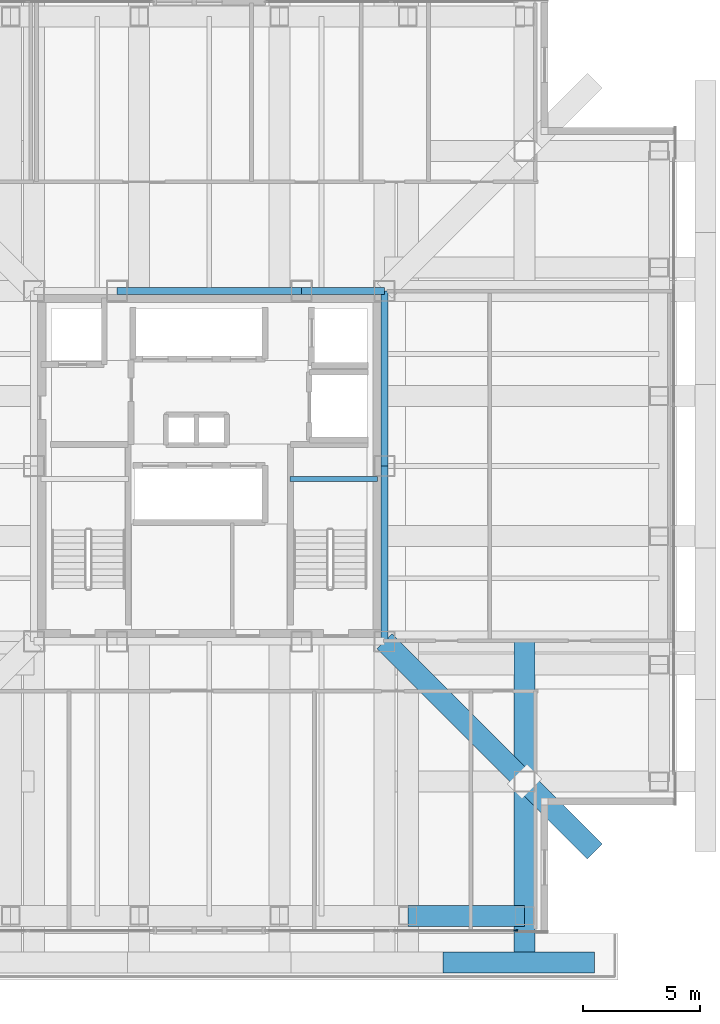
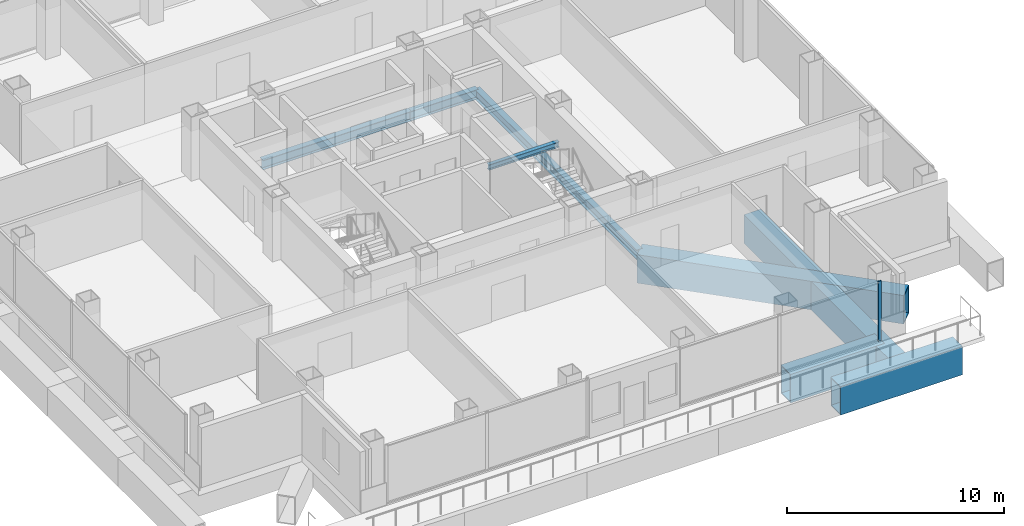
# One storey, part 5 of 14: 9 beams, 1 member, 1 element without a shape of its own.
"""IFC4 building model written with IfcOpenShell, lengths in metres."""

from ifc_helpers import new_model, si_unit, direction, frame, origin, origin_2d, place, context, subcontext, project, spatial, rectangle, hollow_rectangle, i_section, extrude, material, layer, layer_set, material_profile, profile_set, type_object, element, aggregate, save


model = new_model("IFC4")

# Units and contexts
model_context = context("Model", 3, precision=1e-05, world=origin(), true_north=direction((0.0, 1.0)))
body_context = subcontext(model_context, "Body", "Model", "MODEL_VIEW")
ifc_project = project(units=[si_unit("LENGTHUNIT", "METRE"), si_unit("AREAUNIT", "SQUARE_METRE"), si_unit("VOLUMEUNIT", "CUBIC_METRE"), si_unit("PLANEANGLEUNIT", "RADIAN"), si_unit("MASSUNIT", "GRAM", prefix="KILO")], contexts=[model_context])

# Site, building, storey
site_placement = place(None, origin())
site = spatial("IfcSite", under=ifc_project, at=site_placement, CompositionType="ELEMENT")
building_placement = place(site_placement, origin())
building = spatial("IfcBuilding", under=site, at=building_placement, Name="Trevonay Congress Spire", CompositionType="ELEMENT")
storey_placement = place(building_placement, frame((0.0, 0.0, 166.199951171875)))
storey = spatial("IfcBuildingStorey", under=building, at=storey_placement, Name="L42", CompositionType="ELEMENT", Elevation=166.199951171875)

# Beams
ifc_material_1 = material(Name="Steel ASTM A572 Grade 50", Category="steel")
ifc_material_profile_1 = material_profile(ifc_material_1, i_section(OverallWidth=0.31201171875, OverallDepth=0.54296875, WebThickness=0.0126953125, FlangeThickness=0.020263671875, FilletRadius=0.014892578125, at=origin_2d()), Name="W530x150")
ifc_profile_set_1 = profile_set([ifc_material_profile_1], Name="Steel ASTM A572 Grade 50")
beam_type_1 = type_object("IfcBeamType", Name="BM-GIRD-W530X150", PredefinedType="BEAM", material=ifc_profile_set_1)
beam_1_placement = place(storey_placement, frame((-3.949951171875, 7.5, -0.67138671875), z_axis=(1.0, 0.0, 0.0), x_axis=(0.0, 1.0, 0.0)))
element("IfcBeam", 1, at=beam_1_placement, inside=storey, type_object=beam_type_1, Name="L42 structural beam BM-L42-CR-N2", PredefinedType="BEAM", context=body_context, shape_type="SweptSolid", body=[
    extrude(i_section(OverallWidth=0.31201171875, OverallDepth=0.54296875, WebThickness=0.0126953125, FlangeThickness=0.020263671875, FilletRadius=0.014892578125, at=origin_2d()), origin(), (0.0, 0.0, 1.0), 7.89990234375),
])
beam_2_placement = place(storey_placement, frame((3.949951171875, 7.5, -0.67138671875), z_axis=(1.0, 0.0, 0.0), x_axis=(0.0, 1.0, 0.0)))
element("IfcBeam", 2, at=beam_2_placement, inside=storey, type_object=beam_type_1, Name="L42 structural beam BM-L42-CR-N3", PredefinedType="BEAM", context=body_context, shape_type="SweptSolid", body=[
    extrude(i_section(OverallWidth=0.31201171875, OverallDepth=0.54296875, WebThickness=0.0126953125, FlangeThickness=0.020263671875, FilletRadius=0.014892578125, at=origin_2d()), origin(), (0.0, 0.0, 1.0), 3.550048828125),
])
for number, where, z_axis, x_axis, name in (
    (3, (7.5, -7.5, -0.67138671875), (0.0, 1.0, 0.0), (-1.0, 0.0, 0.0), "L42 structural beam BM-L42-CR-E1"),
    (4, (7.5, 0.0, -0.67138671875), (0.0, 1.0, 0.0), (-1.0, 0.0, 0.0), "L42 structural beam BM-L42-CR-E2"),
):
    element("IfcBeam", number, at=place(storey_placement, frame(where, z_axis=z_axis, x_axis=x_axis)), inside=storey, type_object=beam_type_1, Name=name, PredefinedType="BEAM", context=body_context, shape_type="SweptSolid", body=[
        extrude(i_section(OverallWidth=0.31201171875, OverallDepth=0.54296875, WebThickness=0.0126953125, FlangeThickness=0.020263671875, FilletRadius=0.014892578125, at=origin_2d()), origin(), (0.0, 0.0, 1.0), 7.5),
    ])
ifc_material_profile_2 = material_profile(ifc_material_1, hollow_rectangle(XDim=0.89990234375, YDim=1.60009765625, WallThickness=0.06005859375, at=origin_2d()), Name="BOX 1600x900x60")
ifc_profile_set_2 = profile_set([ifc_material_profile_2], Name="Steel ASTM A572 Grade 50")
beam_type_2 = type_object("IfcBeamType", Name="BM-RING-BOX1600", PredefinedType="BEAM", material=ifc_profile_set_2)
beam_3_placement = place(storey_placement, frame((8.5, -19.25, -1.199951171875), z_axis=(1.0, 0.0, 0.0), x_axis=(0.0, 1.0, 0.0)))
element("IfcBeam", 5, at=beam_3_placement, inside=storey, type_object=beam_type_2, Name="L42 structural beam BM-L42-PS5", PredefinedType="BEAM", context=body_context, shape_type="SweptSolid", body=[
    extrude(hollow_rectangle(XDim=0.89990234375, YDim=1.60009765625, WallThickness=0.06005859375, at=origin_2d()), origin(), (0.0, 0.0, 1.0), 5.0),
])
beam_4_placement = place(storey_placement, frame((10.0, -21.25, -1.199951171875), z_axis=(1.0, 0.0, 0.0), x_axis=(0.0, 1.0, 0.0)))
element("IfcBeam", 6, at=beam_4_placement, inside=storey, type_object=beam_type_2, Name="L42 structural beam XOUT-L42-S4", PredefinedType="BEAM", context=body_context, shape_type="SweptSolid", body=[
    extrude(hollow_rectangle(XDim=0.89990234375, YDim=1.60009765625, WallThickness=0.06005859375, at=origin_2d()), origin(), (0.0, 0.0, 1.0), 6.5),
])
ifc_material_profile_3 = material_profile(ifc_material_1, hollow_rectangle(XDim=0.89990234375, YDim=1.60009765625, WallThickness=0.06005859375, at=origin_2d()), Name="BOX 1600x900x60")
ifc_profile_set_3 = profile_set([ifc_material_profile_3], Name="Steel ASTM A572 Grade 50")
beam_type_3 = type_object("IfcBeamType", Name="BM-XFER-BOX1600", PredefinedType="BEAM", material=ifc_profile_set_3)
beam_5_placement = place(storey_placement, frame((7.5, -7.5, -1.199951171875), z_axis=(0.707106781187, -0.707106781187, 0.0), x_axis=(0.707106781187, 0.707106781187, 0.0)))
element("IfcBeam", 7, at=beam_5_placement, inside=storey, type_object=beam_type_3, Name="L42 structural beam BM-L42-CDSE", PredefinedType="BEAM", context=body_context, shape_type="SweptSolid", body=[
    extrude(hollow_rectangle(XDim=0.89990234375, YDim=1.60009765625, WallThickness=0.06005859375, at=origin_2d()), origin(), (0.0, 0.0, 1.0), 12.72802734375),
])
beam_6_placement = place(storey_placement, frame((13.5, -7.5, -1.199951171875), z_axis=(0.0, -1.0, 0.0), x_axis=(1.0, 0.0, 0.0)))
element("IfcBeam", 8, at=beam_6_placement, inside=storey, type_object=beam_type_3, Name="L42 structural beam XFER-L42-S5", PredefinedType="BEAM", context=body_context, shape_type="SweptSolid", body=[
    extrude(hollow_rectangle(XDim=0.89990234375, YDim=1.60009765625, WallThickness=0.06005859375, at=origin_2d()), origin(), (0.0, 0.0, 1.0), 13.75),
])

# Curtain wall, member
ifc_material_2 = material(Name="Pale Anodised Aluminium EN AW-6063-T6", Category="aluminium")
ifc_layer = layer(ifc_material_2, 0.169921875, Name="Pale Anodised Aluminium EN AW-6063-T6")
ifc_layer_set = layer_set([ifc_layer], Name="Pale Anodised Aluminium EN AW-6063-T6")
curtain_wall_type = type_object("IfcCurtainWallType", Name="CW-SYS04-CORP-PALE-METAL", PredefinedType="NOTDEFINED", material=ifc_layer_set)
curtain_wall_placement = place(storey_placement, origin())
curtain_wall = element("IfcCurtainWall", 9, at=curtain_wall_placement, inside=storey, type_object=curtain_wall_type, Name="L42 SB unitised curtain wall", PredefinedType="NOTDEFINED")
ifc_material_profile_4 = material_profile(ifc_material_2, rectangle(XDim=0.06005859375, YDim=0.159912109375, at=origin_2d()), Name="CW-MULLION-160-ALUMINIUM")
ifc_profile_set_4 = profile_set([ifc_material_profile_4], Name="Pale Anodised Aluminium EN AW-6063-T6")
member_type = type_object("IfcMemberType", Name="CW-MULLION-160-ALUMINIUM", PredefinedType="MULLION", material=ifc_profile_set_4)
member_placement = place(storey_placement, frame((13.1201171875, -19.8798828125, 0.0), z_axis=(0.0, 0.0, 1.0), x_axis=(0.0, 1.0, 0.0)))
member = element("IfcMember", 10, at=member_placement, type_object=member_type, Name="CW04 mullion 3", PredefinedType="MULLION", context=body_context, shape_type="SweptSolid", body=[
    extrude(rectangle(XDim=0.06005859375, YDim=0.159912109375, at=origin_2d()), origin(), (0.0, 0.0, 1.0), 3.360107421875),
])
aggregate(curtain_wall, [member])

# Beam
ifc_material_profile_5 = material_profile(ifc_material_1, i_section(OverallWidth=0.2041015625, OverallDepth=0.305908203125, WebThickness=0.008544921875, FlangeThickness=0.0146484375, FilletRadius=0.010986328125, at=origin_2d()), Name="W310x67")
ifc_profile_set_5 = profile_set([ifc_material_profile_5], Name="Steel ASTM A572 Grade 50")
beam_type_4 = type_object("IfcBeamType", Name="LN-CORE-W310X67", PredefinedType="LINTEL", material=ifc_profile_set_5)
beam_7_placement = place(storey_placement, frame((3.449951171875, -0.550048828125, 1.447021484375), z_axis=(1.0, 0.0, 0.0), x_axis=(0.0, 1.0, 0.0)))
element("IfcBeam", 11, at=beam_7_placement, inside=storey, type_object=beam_type_4, Name="L42 structural beam BM-L42-HL-ST2", PredefinedType="LINTEL", context=body_context, shape_type="SweptSolid", body=[
    extrude(i_section(OverallWidth=0.2041015625, OverallDepth=0.305908203125, WebThickness=0.008544921875, FlangeThickness=0.0146484375, FilletRadius=0.010986328125, at=origin_2d()), origin(), (0.0, 0.0, 1.0), 3.75),
])

save(model, "model.ifc")
